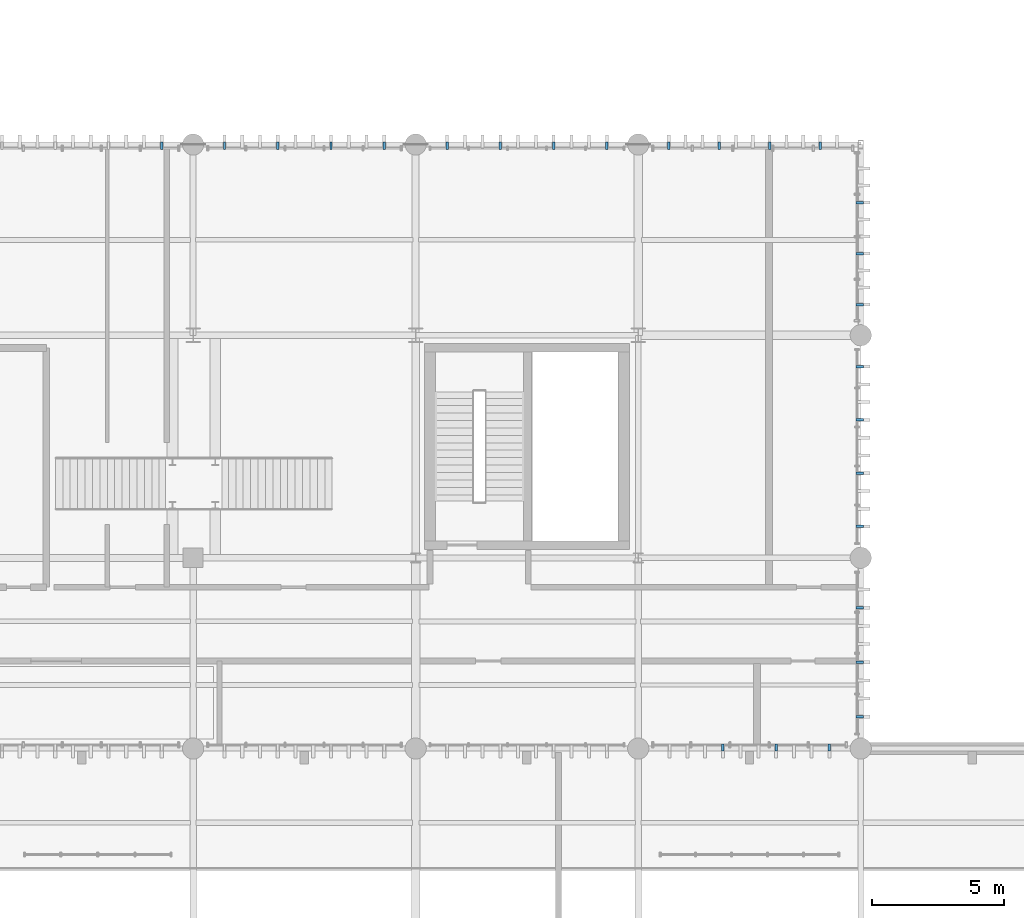
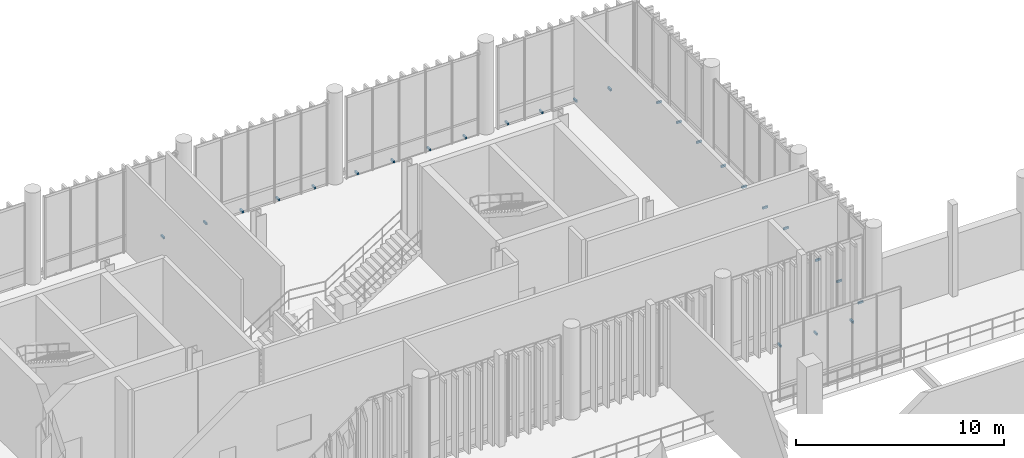
# One storey, part 117 of 128: 26 discrete accessories.
"""IFC4 building model written with IfcOpenShell, lengths in metres."""

from ifc_helpers import new_model, si_unit, direction, frame, origin_with_axes, origin_2d_with_axis, place, context, subcontext, project, spatial, rectangle, extrude, material, type_object, element, save


model = new_model("IFC4")

# Units and contexts
model_context = context("Model", 3, precision=1e-05, world=origin_with_axes(), true_north=direction((0.0, 1.0)))
body_context = subcontext(model_context, "Body", "Model", "MODEL_VIEW")
ifc_project = project(units=[si_unit("LENGTHUNIT", "METRE"), si_unit("AREAUNIT", "SQUARE_METRE"), si_unit("VOLUMEUNIT", "CUBIC_METRE"), si_unit("PLANEANGLEUNIT", "RADIAN"), si_unit("MASSUNIT", "GRAM", prefix="KILO"), si_unit("THERMODYNAMICTEMPERATUREUNIT", "KELVIN")], contexts=[model_context])

# Site, building, storey
site_placement = place(None, origin_with_axes())
site = spatial("IfcSite", under=ifc_project, at=site_placement, CompositionType="ELEMENT")
building_placement = place(site_placement, origin_with_axes())
building = spatial("IfcBuilding", under=site, at=building_placement, Name="Montbau Bow Law Courts", CompositionType="ELEMENT")
storey_placement = place(building_placement, frame((0.0, 0.0, 5.4), z_axis=(0.0, 0.0, 1.0), x_axis=(1.0, 0.0, 0.0)))
storey = spatial("IfcBuildingStorey", under=building, at=storey_placement, Name="L01", CompositionType="ELEMENT", Elevation=5.4)

# Discrete accessories
ifc_material = material(Name="Stainless Steel AISI 316L Outrigger Louvre Bracket", Category="steel")
discrete_accessory_type = type_object("IfcDiscreteAccessoryType", Name="DA-BRK-01", PredefinedType="BRACKET", material=ifc_material)
for number, where, z_axis, x_axis, name in (
    (1, (91.995, 39.04, 5.4), (0.0, 0.0, 1.0), (0.0, -1.0, 0.0), "BRK-L01-0488:brk_0488"),
    (2, (94.005, 39.04, 5.4), (0.0, 0.0, 1.0), (0.0, -1.0, 0.0), "BRK-L01-0489:brk_0489"),
    (3, (96.015, 39.04, 5.4), (0.0, 0.0, 1.0), (0.0, -1.0, 0.0), "BRK-L01-0490:brk_0490"),
    (4, (70.815, 61.76, 5.4), (0.0, 0.0, 1.0), (0.0, 1.0, 0.0), "BRK-L01-0502:brk_0502"),
    (5, (73.185, 61.76, 5.4), (0.0, 0.0, 1.0), (0.0, 1.0, 0.0), "BRK-L01-0503:brk_0503"),
    (6, (75.195, 61.76, 5.4), (0.0, 0.0, 1.0), (0.0, 1.0, 0.0), "BRK-L01-0504:brk_0504"),
    (7, (77.205, 61.76, 5.4), (0.0, 0.0, 1.0), (0.0, 1.0, 0.0), "BRK-L01-0505:brk_0505"),
    (8, (79.215, 61.76, 5.4), (0.0, 0.0, 1.0), (0.0, 1.0, 0.0), "BRK-L01-0506:brk_0506"),
    (9, (81.585, 61.76, 5.4), (0.0, 0.0, 1.0), (0.0, 1.0, 0.0), "BRK-L01-0507:brk_0507"),
    (10, (83.595, 61.76, 5.4), (0.0, 0.0, 1.0), (0.0, 1.0, 0.0), "BRK-L01-0508:brk_0508"),
    (11, (85.605, 61.76, 5.4), (0.0, 0.0, 1.0), (0.0, 1.0, 0.0), "BRK-L01-0509:brk_0509"),
    (12, (87.615, 61.76, 5.4), (0.0, 0.0, 1.0), (0.0, 1.0, 0.0), "BRK-L01-0510:brk_0510"),
    (13, (89.95, 61.76, 5.4), (0.0, 0.0, 1.0), (0.0, 1.0, 0.0), "BRK-L01-0511:brk_0511"),
    (14, (91.854, 61.76, 5.4), (0.0, 0.0, 1.0), (0.0, 1.0, 0.0), "BRK-L01-0512:brk_0512"),
    (15, (93.759, 61.76, 5.4), (0.0, 0.0, 1.0), (0.0, 1.0, 0.0), "BRK-L01-0513:brk_0513"),
    (16, (95.663, 61.76, 5.4), (0.0, 0.0, 1.0), (0.0, 1.0, 0.0), "BRK-L01-0514:brk_0514"),
    (17, (97.16, 40.201, 5.4), (0.0, 0.0, 1.0), (1.0, 0.0, 0.0), "BRK-L01-0525:brk_0525"),
    (18, (97.16, 42.257, 5.4), (0.0, 0.0, 1.0), (1.0, 0.0, 0.0), "BRK-L01-0526:brk_0526"),
    (19, (97.16, 44.314, 5.4), (0.0, 0.0, 1.0), (1.0, 0.0, 0.0), "BRK-L01-0527:brk_0527"),
    (20, (97.16, 47.385, 5.4), (0.0, 0.0, 1.0), (1.0, 0.0, 0.0), "BRK-L01-0528:brk_0528"),
    (21, (97.16, 49.395, 5.4), (0.0, 0.0, 1.0), (1.0, 0.0, 0.0), "BRK-L01-0529:brk_0529"),
    (22, (97.16, 51.405, 5.4), (0.0, 0.0, 1.0), (1.0, 0.0, 0.0), "BRK-L01-0530:brk_0530"),
    (23, (97.16, 53.415, 5.4), (0.0, 0.0, 1.0), (1.0, 0.0, 0.0), "BRK-L01-0531:brk_0531"),
    (24, (97.16, 55.757, 5.4), (0.0, 0.0, 1.0), (1.0, 0.0, 0.0), "BRK-L01-0532:brk_0532"),
    (25, (97.16, 57.682, 5.4), (0.0, 0.0, 1.0), (1.0, 0.0, 0.0), "BRK-L01-0533:brk_0533"),
    (26, (97.16, 59.607, 5.4), (0.0, 0.0, 1.0), (1.0, 0.0, 0.0), "BRK-L01-0534:brk_0534"),
):
    element("IfcDiscreteAccessory", number, at=place(None, frame(where, z_axis=z_axis, x_axis=x_axis)), inside=storey, type_object=discrete_accessory_type, Name=name, PredefinedType="BRACKET", context=body_context, shape_type="SweptSolid", body=[
        extrude(rectangle(XDim=0.28, YDim=0.09, at=origin_2d_with_axis()), origin_with_axes(), (0.0, 0.0, 1.0), 0.12),
    ])

save(model, "model.ifc")
